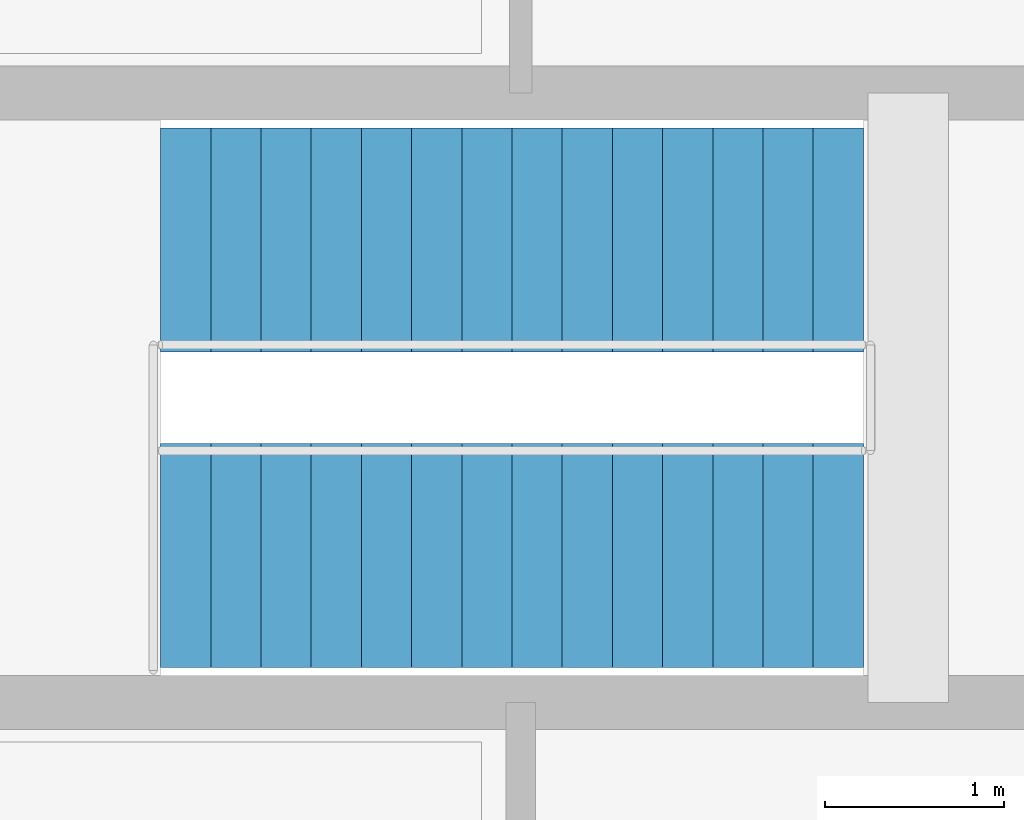
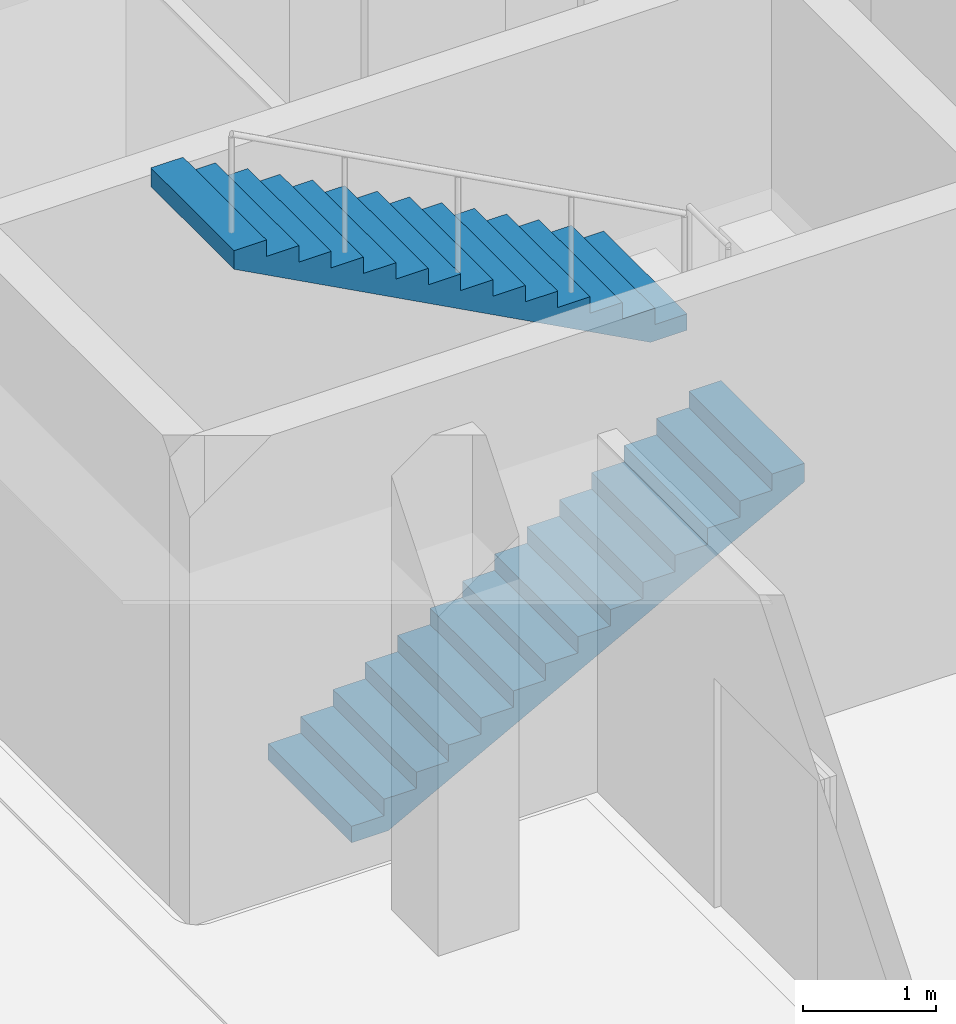
# One storey, part 64 of 77: 2 stair flights, 1 element without a shape of its own.
"""IFC4 building model written with IfcOpenShell, lengths in metres."""

from ifc_helpers import new_model, si_unit, direction, frame, origin, place, context, subcontext, project, spatial, polyline, outline, extrude, material, type_object, element, aggregate, save


model = new_model("IFC4")

# Units and contexts
model_context = context("Model", 3, precision=1e-05, world=origin(), true_north=direction((0.0, 1.0)))
body_context = subcontext(model_context, "Body", "Model", "MODEL_VIEW")
ifc_project = project(units=[si_unit("LENGTHUNIT", "METRE"), si_unit("AREAUNIT", "SQUARE_METRE"), si_unit("VOLUMEUNIT", "CUBIC_METRE"), si_unit("PLANEANGLEUNIT", "RADIAN"), si_unit("MASSUNIT", "GRAM", prefix="KILO")], contexts=[model_context])

# Site, building, storey
site_placement = place(None, origin())
site = spatial("IfcSite", under=ifc_project, at=site_placement, CompositionType="ELEMENT")
building_placement = place(site_placement, origin())
building = spatial("IfcBuilding", under=site, at=building_placement, Name="Vardoun Plaza Health Centre", CompositionType="ELEMENT")
storey_placement = place(building_placement, origin())
storey = spatial("IfcBuildingStorey", under=building, at=storey_placement, Name="L00", CompositionType="ELEMENT", Elevation=0.0)

# Stair, stair flights
ifc_material_1 = material(Name="Concrete C35/45", Category="concrete")
stair_type = type_object("IfcStairType", Name="ST-01", PredefinedType="HALF_TURN_STAIR", material=ifc_material_1)
stair_placement = place(storey_placement, origin())
stair = element("IfcStair", 1, at=stair_placement, inside=storey, type_object=stair_type, Name="Core C11 L00 Exit Stair ST-C11-L00", PredefinedType="HALF_TURN_STAIR")
ifc_material_2 = material(Name="Concrete C35/45", Category="concrete")
stair_flight_type = type_object("IfcStairFlightType", Name="SF-01", PredefinedType="STRAIGHT", material=ifc_material_2)
stair_flight_1_placement = place(storey_placement, frame((157.949951171875, 80.219970703125, 0.0), z_axis=(0.0, 0.0, 1.0), x_axis=(1.0, 0.0, 0.0)))
stair_flight_1 = element("IfcStairFlight", 2, at=stair_flight_1_placement, type_object=stair_flight_type, Name="ST-C11-L00 flight 1", NumberOfRisers=15, NumberOfTreads=14, PredefinedType="STRAIGHT", RiserHeight=0.15, TreadLength=0.28, context=body_context, shape_type="SweptSolid", body=[
    extrude(outline(polyline([(0.0, 0.0), (0.0, 0.14990234375), (0.280029296875, 0.14990234375), (0.280029296875, 0.300048828125), (0.56005859375, 0.300048828125), (0.56005859375, 0.449951171875), (0.840087890625, 0.449951171875), (0.840087890625, 0.60009765625), (1.1201171875, 0.60009765625), (1.1201171875, 0.75), (1.39990234375, 0.75), (1.39990234375, 0.89990234375), (1.679931640625, 0.89990234375), (1.679931640625, 1.050048828125), (1.9599609375, 1.050048828125), (1.9599609375, 1.199951171875), (2.239990234375, 1.199951171875), (2.239990234375, 1.35009765625), (2.52001953125, 1.35009765625), (2.52001953125, 1.5), (2.800048828125, 1.5), (2.800048828125, 1.64990234375), (3.080078125, 1.64990234375), (3.080078125, 1.800048828125), (3.360107421875, 1.800048828125), (3.360107421875, 1.949951171875), (3.639892578125, 1.949951171875), (3.639892578125, 2.10009765625), (3.919921875, 2.10009765625), (3.919921875, 2.25), (3.919921875, 1.929931640625), (0.3173828125, 0.0), (0.0, 0.0)])), frame((0.0, 0.625, 0.0), z_axis=(0.0, -1.0, 0.0), x_axis=(1.0, 0.0, 0.0)), (0.0, 0.0, 1.0), 1.25),
])
stair_flight_2_placement = place(storey_placement, frame((161.8701171875, 81.97998046875, 2.25), z_axis=(0.0, 0.0, 1.0), x_axis=(-1.0, 0.0, 0.0)))
stair_flight_2 = element("IfcStairFlight", 3, at=stair_flight_2_placement, type_object=stair_flight_type, Name="ST-C11-L00 flight 2", NumberOfRisers=15, NumberOfTreads=14, PredefinedType="STRAIGHT", RiserHeight=0.15, TreadLength=0.28, context=body_context, shape_type="SweptSolid", body=[
    extrude(outline(polyline([(0.0, 0.0), (0.0, 0.14990234375), (0.280029296875, 0.14990234375), (0.280029296875, 0.300048828125), (0.56005859375, 0.300048828125), (0.56005859375, 0.449951171875), (0.840087890625, 0.449951171875), (0.840087890625, 0.60009765625), (1.1201171875, 0.60009765625), (1.1201171875, 0.75), (1.39990234375, 0.75), (1.39990234375, 0.89990234375), (1.679931640625, 0.89990234375), (1.679931640625, 1.050048828125), (1.9599609375, 1.050048828125), (1.9599609375, 1.199951171875), (2.239990234375, 1.199951171875), (2.239990234375, 1.35009765625), (2.52001953125, 1.35009765625), (2.52001953125, 1.5), (2.800048828125, 1.5), (2.800048828125, 1.64990234375), (3.080078125, 1.64990234375), (3.080078125, 1.800048828125), (3.360107421875, 1.800048828125), (3.360107421875, 1.949951171875), (3.639892578125, 1.949951171875), (3.639892578125, 2.10009765625), (3.919921875, 2.10009765625), (3.919921875, 2.25), (3.919921875, 1.929931640625), (0.3173828125, 0.0), (0.0, 0.0)])), frame((0.0, 0.625, 0.0), z_axis=(0.0, -1.0, 0.0), x_axis=(1.0, 0.0, 0.0)), (0.0, 0.0, 1.0), 1.25),
])
aggregate(stair, [stair_flight_1, stair_flight_2])

save(model, "model.ifc")
